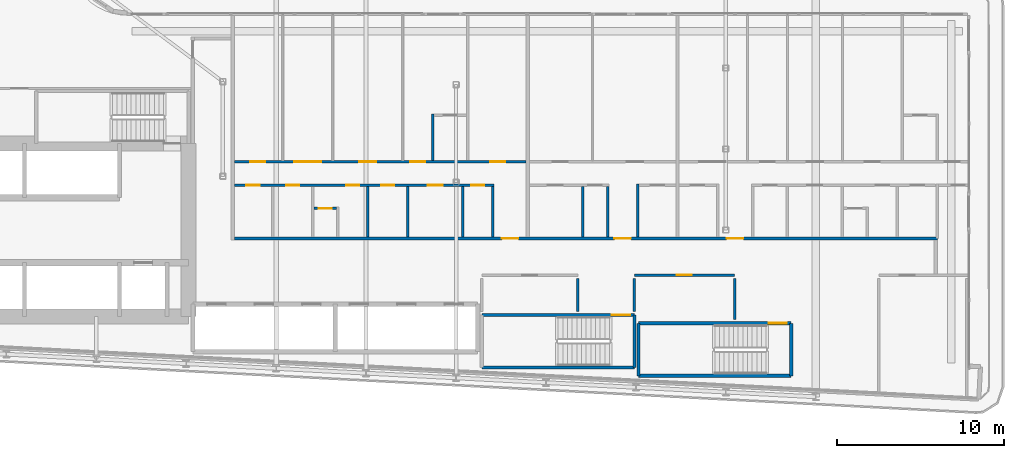
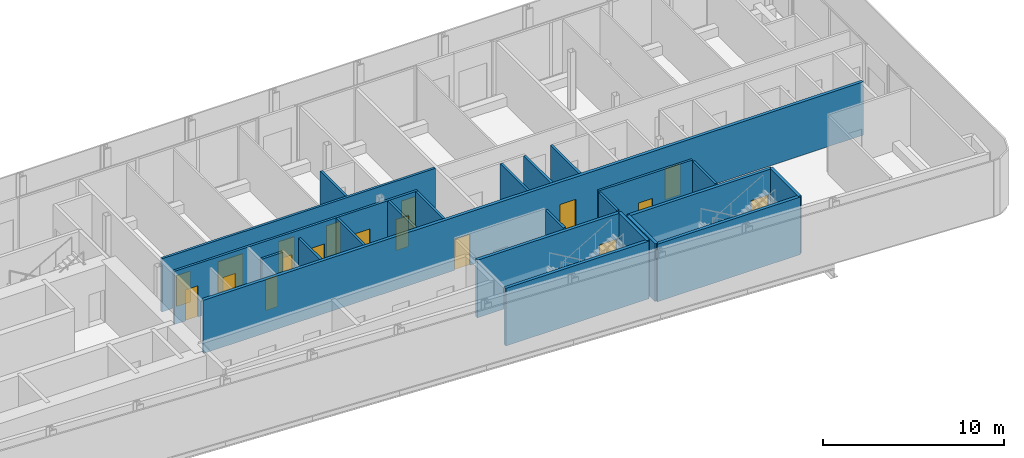
# One storey, part 15 of 28: 23 walls, 18 doors, 18 openings.
"""IFC4 building model written with IfcOpenShell, lengths in metres."""

from ifc_helpers import new_model, si_unit, direction, frame, frame_2d, origin, place, context, subcontext, project, spatial, rectangle, extrude, source, transform, mapped, material, layer, layer_set, type_object, element, fill, save


model = new_model("IFC4")

# Units and contexts
model_context = context("Model", 3, precision=1e-05, world=origin(), true_north=direction((0.0, 1.0)))
body_context = subcontext(model_context, "Body", "Model", "MODEL_VIEW")
ifc_project = project(units=[si_unit("LENGTHUNIT", "METRE"), si_unit("AREAUNIT", "SQUARE_METRE"), si_unit("VOLUMEUNIT", "CUBIC_METRE"), si_unit("PLANEANGLEUNIT", "RADIAN"), si_unit("MASSUNIT", "GRAM", prefix="KILO")], contexts=[model_context])

# Site, building, storey
site_placement = place(None, origin())
site = spatial("IfcSite", under=ifc_project, at=site_placement, CompositionType="ELEMENT")
building_placement = place(site_placement, origin())
building = spatial("IfcBuilding", under=site, at=building_placement, Name="Kheshtan School and Residences Tower", CompositionType="ELEMENT")
storey_placement = place(building_placement, frame((0.0, 0.0, 140.89990234375)))
storey = spatial("IfcBuildingStorey", under=building, at=storey_placement, Name="L33", CompositionType="ELEMENT", Elevation=140.89990234375)

# Wall, openings, doors
ifc_material_1 = material(Name="Gypsum board on steel studs with fire boards", Category="steel")
ifc_layer_1 = layer(ifc_material_1, 0.199951171875)
ifc_layer_set_1 = layer_set([ifc_layer_1], Name="Corridor wall 200")
wall_type_1 = type_object("IfcWallType", Name="Corridor wall 200", PredefinedType="PARTITIONING", material=ifc_layer_set_1)
wall_1_placement = place(storey_placement, frame((55.89990234375, 30.5, 0.0), z_axis=(0.0, 0.0, 1.0), x_axis=(1.0, 0.0, 0.0)))
wall_1 = element("IfcWall", 1, at=wall_1_placement, inside=storey, type_object=wall_type_1, Name="Partition L33-046", PredefinedType="PARTITIONING", context=body_context, shape_type="SweptSolid", body=[
    extrude(rectangle(XDim=42.2001953125, YDim=0.199951171875, at=frame_2d((21.10009765625, 0.0))), origin(), (0.0, 0.0, 1.0), 3.60009765625),
])
opening_1_placement = place(wall_1_placement, frame((16.050048828125, 0.0, 0.0)))
opening_1 = element("IfcOpeningElement", 2, at=opening_1_placement, cuts=wall_1, Name="Opening D32-007", PredefinedType="OPENING", context=body_context, shape_type="SweptSolid", body=[
    extrude(rectangle(XDim=1.0, YDim=2.10009765625, at=frame_2d((0.5, 1.050048828125))), frame((0.0, 0.10986328125, 0.0), z_axis=(0.0, -1.0, 0.0), x_axis=(1.0, 0.0, 0.0)), (0.0, 0.0, 1.0), 0.219970703125),
])
opening_2_placement = place(wall_1_placement, frame((22.800048828125, 0.0, 0.0)))
opening_2 = element("IfcOpeningElement", 3, at=opening_2_placement, cuts=wall_1, Name="Opening D32-017", PredefinedType="OPENING", context=body_context, shape_type="SweptSolid", body=[
    extrude(rectangle(XDim=1.0, YDim=2.10009765625, at=frame_2d((0.5, 1.050048828125))), frame((0.0, 0.10986328125, 0.0), z_axis=(0.0, -1.0, 0.0), x_axis=(1.0, 0.0, 0.0)), (0.0, 0.0, 1.0), 0.219970703125),
])
opening_3_placement = place(wall_1_placement, frame((29.550048828125, 0.0, 0.0)))
opening_3 = element("IfcOpeningElement", 4, at=opening_3_placement, cuts=wall_1, Name="Opening D32-026", PredefinedType="OPENING", context=body_context, shape_type="SweptSolid", body=[
    extrude(rectangle(XDim=1.0, YDim=2.10009765625, at=frame_2d((0.5, 1.050048828125))), frame((0.0, 0.10986328125, 0.0), z_axis=(0.0, -1.0, 0.0), x_axis=(1.0, 0.0, 0.0)), (0.0, 0.0, 1.0), 0.219970703125),
])
ifc_material_2 = material(Name="Steel-framed fire-resisting door leaf", Category="steel")
door_type_1 = type_object("IfcDoorType", Name="Fire door FD30S 1000 x 2100", OperationType="SINGLE_SWING_LEFT", PredefinedType="DOOR", material=ifc_material_2)
shared_shape_1 = source(origin(), body_context, "Body", "SweptSolid", [
    extrude(rectangle(XDim=1.0, YDim=2.10009765625, at=frame_2d((0.5, 1.050048828125))), frame((0.0, 0.02490234375, 0.0), z_axis=(0.0, -1.0, 0.0), x_axis=(1.0, 0.0, 0.0)), (0.0, 0.0, 1.0), 0.050048828125),
])
door_1_placement = place(opening_1_placement, origin())
door_1 = element("IfcDoor", 5, at=door_1_placement, inside=storey, type_object=door_type_1, Name="Door D32-007", OperationType="SINGLE_SWING_RIGHT", OverallHeight=2.10009765625, OverallWidth=1.0, PredefinedType="DOOR", context=body_context, shape_type="MappedRepresentation", body=[
    mapped(shared_shape_1, transform((0.0, 0.0, 0.0), x_axis=(1.0, 0.0, 0.0), y_axis=(0.0, 1.0, 0.0), z_axis=(0.0, 0.0, 1.0), scale=1.0)),
])
fill(opening_1, door_1)
door_2_placement = place(opening_2_placement, origin())
door_2 = element("IfcDoor", 6, at=door_2_placement, inside=storey, type_object=door_type_1, Name="Door D32-017", OperationType="SINGLE_SWING_RIGHT", OverallHeight=2.10009765625, OverallWidth=1.0, PredefinedType="DOOR", context=body_context, shape_type="MappedRepresentation", body=[
    mapped(shared_shape_1, transform((0.0, 0.0, 0.0), x_axis=(1.0, 0.0, 0.0), y_axis=(0.0, 1.0, 0.0), z_axis=(0.0, 0.0, 1.0), scale=1.0)),
])
fill(opening_2, door_2)
door_3_placement = place(opening_3_placement, origin())
door_3 = element("IfcDoor", 7, at=door_3_placement, inside=storey, type_object=door_type_1, Name="Door D32-026", OperationType="SINGLE_SWING_LEFT", OverallHeight=2.10009765625, OverallWidth=1.0, PredefinedType="DOOR", context=body_context, shape_type="MappedRepresentation", body=[
    mapped(shared_shape_1, transform((0.0, 0.0, 0.0), x_axis=(1.0, 0.0, 0.0), y_axis=(0.0, 1.0, 0.0), z_axis=(0.0, 0.0, 1.0), scale=1.0)),
])
fill(opening_3, door_3)

# Wall
ifc_material_3 = material(Name="Fire-board shaft wall system")
ifc_layer_2 = layer(ifc_material_3, 0.14990234375)
ifc_layer_set_2 = layer_set([ifc_layer_2], Name="Service room wall 150")
wall_type_2 = type_object("IfcWallType", Name="Service room wall 150", PredefinedType="PARTITIONING", material=ifc_layer_set_2)
wall_2_placement = place(storey_placement, frame((76.510009765625, 26.1201171875, 0.0), z_axis=(0.0, 0.0, 1.0), x_axis=(0.0, 1.0, 0.0)))
element("IfcWall", 8, at=wall_2_placement, inside=storey, type_object=wall_type_2, Name="Service room wall", PredefinedType="PARTITIONING", context=body_context, shape_type="SweptSolid", body=[
    extrude(rectangle(XDim=1.98486328125, YDim=0.14990234375, at=frame_2d((0.992431640625, 0.0))), origin(), (0.0, 0.0, 1.0), 3.900146484375),
])

# Wall, opening, door
wall_3_placement = place(storey_placement, frame((79.909912109375, 28.300048828125, 0.0), z_axis=(0.0, 0.0, 1.0), x_axis=(1.0, 0.0, 0.0)))
wall_3 = element("IfcWall", 9, at=wall_3_placement, inside=storey, type_object=wall_type_2, Name="Service room wall", PredefinedType="PARTITIONING", context=body_context, shape_type="SweptSolid", body=[
    extrude(rectangle(XDim=6.010009765625, YDim=0.14990234375, at=frame_2d((3.0048828125, 0.0))), origin(), (0.0, 0.0, 1.0), 3.900146484375),
])
opening_4_placement = place(wall_3_placement, frame((2.554931640625, 0.0, 0.0)))
opening_4 = element("IfcOpeningElement", 10, at=opening_4_placement, cuts=wall_3, Name="Opening SR90", PredefinedType="OPENING", context=body_context, shape_type="SweptSolid", body=[
    extrude(rectangle(XDim=0.89990234375, YDim=2.199951171875, at=frame_2d((0.449951171875, 1.10009765625))), frame((0.0, 0.0849609375, 0.0), z_axis=(0.0, -1.0, 0.0), x_axis=(1.0, 0.0, 0.0)), (0.0, 0.0, 1.0), 0.169921875),
])
ifc_material_4 = material(Name="Steel door leaf, galvanised", Category="steel")
door_type_2 = type_object("IfcDoorType", Name="Service room door 900 steel 90 min", OperationType="SINGLE_SWING_LEFT", PredefinedType="DOOR", material=ifc_material_4)
shared_shape_2 = source(origin(), body_context, "Body", "SweptSolid", [
    extrude(rectangle(XDim=0.89990234375, YDim=2.199951171875, at=frame_2d((0.449951171875, 1.10009765625))), frame((0.0, 0.02490234375, 0.0), z_axis=(0.0, -1.0, 0.0), x_axis=(1.0, 0.0, 0.0)), (0.0, 0.0, 1.0), 0.050048828125),
])
door_4_placement = place(opening_4_placement, origin())
door_4 = element("IfcDoor", 11, at=door_4_placement, inside=storey, type_object=door_type_2, Name="Service room door", OperationType="SINGLE_SWING_LEFT", OverallHeight=2.199951171875, OverallWidth=0.89990234375, PredefinedType="DOOR", context=body_context, shape_type="MappedRepresentation", body=[
    mapped(shared_shape_2, transform((0.0, 0.0, 0.0), x_axis=(1.0, 0.0, 0.0), y_axis=(0.0, 1.0, 0.0), z_axis=(0.0, 0.0, 1.0), scale=1.0)),
])
fill(opening_4, door_4)

# Walls
wall_4_placement = place(storey_placement, frame((79.909912109375, 26.1201171875, 0.0), z_axis=(0.0, 0.0, 1.0), x_axis=(0.0, 1.0, 0.0)))
element("IfcWall", 12, at=wall_4_placement, inside=storey, type_object=wall_type_2, Name="Service room wall", PredefinedType="PARTITIONING", context=body_context, shape_type="SweptSolid", body=[
    extrude(rectangle(XDim=1.98486328125, YDim=0.14990234375, at=frame_2d((0.992431640625, 0.0))), origin(), (0.0, 0.0, 1.0), 3.900146484375),
])
wall_5_placement = place(storey_placement, frame((85.919921875, 25.6201171875, 0.0), z_axis=(0.0, 0.0, 1.0), x_axis=(0.0, 1.0, 0.0)))
element("IfcWall", 13, at=wall_5_placement, inside=storey, type_object=wall_type_2, Name="Service room wall", PredefinedType="PARTITIONING", context=body_context, shape_type="SweptSolid", body=[
    extrude(rectangle(XDim=2.48486328125, YDim=0.14990234375, at=frame_2d((1.242431640625, 0.0))), origin(), (0.0, 0.0, 1.0), 3.900146484375),
])
ifc_material_5 = material(Name="Concrete C40/50", Category="concrete")
ifc_layer_3 = layer(ifc_material_5, 0.199951171875)
ifc_layer_set_3 = layer_set([ifc_layer_3], Name="Stair enclosure wall 200 Concrete C40/50")
wall_type_3 = type_object("IfcWallType", Name="Stair enclosure wall 200 Concrete C40/50", PredefinedType="SHEAR", material=ifc_layer_set_3)
wall_6_placement = place(storey_placement, frame((80.159912109375, 22.25, 0.0), z_axis=(0.0, 0.0, 1.0), x_axis=(1.0, 0.0, 0.0)))
element("IfcWall", 14, at=wall_6_placement, inside=storey, type_object=wall_type_3, Name="Stair enclosure wall ST4", PredefinedType="SHEAR", context=body_context, shape_type="SweptSolid", body=[
    extrude(rectangle(XDim=9.16015625, YDim=0.199951171875, at=frame_2d((4.580078125, 0.0))), origin(), (0.0, 0.0, 1.0), 3.900146484375),
])

# Wall, opening, door
wall_7_placement = place(storey_placement, frame((80.159912109375, 25.39990234375, 0.0), z_axis=(0.0, 0.0, 1.0), x_axis=(1.0, 0.0, 0.0)))
wall_7 = element("IfcWall", 15, at=wall_7_placement, inside=storey, type_object=wall_type_3, Name="Stair enclosure wall ST4", PredefinedType="SHEAR", context=body_context, shape_type="SweptSolid", body=[
    extrude(rectangle(XDim=9.16015625, YDim=0.199951171875, at=frame_2d((4.580078125, 0.0))), origin(), (0.0, 0.0, 1.0), 3.900146484375),
])
opening_5_placement = place(wall_7_placement, frame((7.81005859375, 0.0, 0.0)))
opening_5 = element("IfcOpeningElement", 16, at=opening_5_placement, cuts=wall_7, Name="Opening ST4D", PredefinedType="OPENING", context=body_context, shape_type="SweptSolid", body=[
    extrude(rectangle(XDim=1.10009765625, YDim=2.199951171875, at=frame_2d((0.550048828125, 1.10009765625))), frame((0.0, 0.10986328125, 0.0), z_axis=(0.0, -1.0, 0.0), x_axis=(1.0, 0.0, 0.0)), (0.0, 0.0, 1.0), 0.219970703125),
])
door_type_3 = type_object("IfcDoorType", Name="Stair door 1100 steel 90 min", OperationType="SINGLE_SWING_LEFT", PredefinedType="DOOR", material=ifc_material_4)
shared_shape_3 = source(origin(), body_context, "Body", "SweptSolid", [
    extrude(rectangle(XDim=1.10009765625, YDim=2.199951171875, at=frame_2d((0.550048828125, 1.10009765625))), frame((0.0, 0.02490234375, 0.0), z_axis=(0.0, -1.0, 0.0), x_axis=(1.0, 0.0, 0.0)), (0.0, 0.0, 1.0), 0.050048828125),
])
door_5_placement = place(opening_5_placement, origin())
door_5 = element("IfcDoor", 17, at=door_5_placement, inside=storey, type_object=door_type_3, Name="Stair ST4 door", OperationType="SINGLE_SWING_LEFT", OverallHeight=2.199951171875, OverallWidth=1.10009765625, PredefinedType="DOOR", context=body_context, shape_type="MappedRepresentation", body=[
    mapped(shared_shape_3, transform((0.0, 0.0, 0.0), x_axis=(1.0, 0.0, 0.0), y_axis=(0.0, 1.0, 0.0), z_axis=(0.0, 0.0, 1.0), scale=1.0)),
])
fill(opening_5, door_5)

# Walls
for number, where, z_axis, x_axis, name in (
    (18, (80.159912109375, 22.25, 0.0), (0.0, 0.0, 1.0), (0.0, 1.0, 0.0), "Stair enclosure wall ST4"),
    (19, (89.320068359375, 22.25, 0.0), (0.0, 0.0, 1.0), (0.0, 1.0, 0.0), "Stair enclosure wall ST4"),
):
    element("IfcWall", number, at=place(storey_placement, frame(where, z_axis=z_axis, x_axis=x_axis)), inside=storey, type_object=wall_type_3, Name=name, PredefinedType="SHEAR", context=body_context, shape_type="SweptSolid", body=[
        extrude(rectangle(XDim=3.14990234375, YDim=0.199951171875, at=frame_2d((1.574951171875, 0.0))), origin(), (0.0, 0.0, 1.0), 3.900146484375),
    ])
wall_8_placement = place(storey_placement, frame((70.75, 22.75, 0.0), z_axis=(0.0, 0.0, 1.0), x_axis=(1.0, 0.0, 0.0)))
element("IfcWall", 20, at=wall_8_placement, inside=storey, type_object=wall_type_3, Name="Stair enclosure wall ST5", PredefinedType="SHEAR", context=body_context, shape_type="SweptSolid", body=[
    extrude(rectangle(XDim=9.159912109375, YDim=0.199951171875, at=frame_2d((4.580078125, 0.0))), origin(), (0.0, 0.0, 1.0), 3.900146484375),
])

# Wall, opening, door
wall_9_placement = place(storey_placement, frame((70.75, 25.89990234375, 0.0), z_axis=(0.0, 0.0, 1.0), x_axis=(1.0, 0.0, 0.0)))
wall_9 = element("IfcWall", 21, at=wall_9_placement, inside=storey, type_object=wall_type_3, Name="Stair enclosure wall ST5", PredefinedType="SHEAR", context=body_context, shape_type="SweptSolid", body=[
    extrude(rectangle(XDim=9.159912109375, YDim=0.199951171875, at=frame_2d((4.580078125, 0.0))), origin(), (0.0, 0.0, 1.0), 3.900146484375),
])
opening_6_placement = place(wall_9_placement, frame((7.81005859375, 0.0, 0.0)))
opening_6 = element("IfcOpeningElement", 22, at=opening_6_placement, cuts=wall_9, Name="Opening ST5D", PredefinedType="OPENING", context=body_context, shape_type="SweptSolid", body=[
    extrude(rectangle(XDim=1.10009765625, YDim=2.199951171875, at=frame_2d((0.550048828125, 1.10009765625))), frame((0.0, 0.10986328125, 0.0), z_axis=(0.0, -1.0, 0.0), x_axis=(1.0, 0.0, 0.0)), (0.0, 0.0, 1.0), 0.219970703125),
])
door_6_placement = place(opening_6_placement, origin())
door_6 = element("IfcDoor", 23, at=door_6_placement, inside=storey, type_object=door_type_3, Name="Stair ST5 door", OperationType="SINGLE_SWING_LEFT", OverallHeight=2.199951171875, OverallWidth=1.10009765625, PredefinedType="DOOR", context=body_context, shape_type="MappedRepresentation", body=[
    mapped(shared_shape_3, transform((0.0, 0.0, 0.0), x_axis=(1.0, 0.0, 0.0), y_axis=(0.0, 1.0, 0.0), z_axis=(0.0, 0.0, 1.0), scale=1.0)),
])
fill(opening_6, door_6)

# Wall
wall_10_placement = place(storey_placement, frame((79.909912109375, 22.75, 0.0), z_axis=(0.0, 0.0, 1.0), x_axis=(0.0, 1.0, 0.0)))
element("IfcWall", 24, at=wall_10_placement, inside=storey, type_object=wall_type_3, Name="Stair enclosure wall ST5", PredefinedType="SHEAR", context=body_context, shape_type="SweptSolid", body=[
    extrude(rectangle(XDim=3.14990234375, YDim=0.199951171875, at=frame_2d((1.574951171875, 0.0))), origin(), (0.0, 0.0, 1.0), 3.900146484375),
])

# Wall, openings, doors
ifc_material_6 = material(Name="Moisture-resistant gypsum board on steel studs", Category="steel")
ifc_layer_4 = layer(ifc_material_6, 0.14990234375)
ifc_layer_set_4 = layer_set([ifc_layer_4], Name="Wet-room partition 150")
wall_type_4 = type_object("IfcWallType", Name="Wet-room partition 150", PredefinedType="PARTITIONING", material=ifc_layer_set_4)
wall_11_placement = place(storey_placement, frame((55.89990234375, 33.699951171875, 0.0), z_axis=(0.0, 0.0, 1.0), x_axis=(1.0, 0.0, 0.0)))
wall_11 = element("IfcWall", 25, at=wall_11_placement, inside=storey, type_object=wall_type_4, Name="Partition L33-047", PredefinedType="PARTITIONING", context=body_context, shape_type="SweptSolid", body=[
    extrude(rectangle(XDim=15.5751953125, YDim=0.14990234375, at=frame_2d((7.78759765625, 0.0))), origin(), (0.0, 0.0, 1.0), 3.60009765625),
])
opening_7_placement = place(wall_11_placement, frame((3.10009765625, 0.0, 0.0)))
opening_7 = element("IfcOpeningElement", 26, at=opening_7_placement, cuts=wall_11, Name="Opening D32-001", PredefinedType="OPENING", context=body_context, shape_type="SweptSolid", body=[
    extrude(rectangle(XDim=0.800048828125, YDim=2.10009765625, at=frame_2d((0.39990234375, 1.050048828125))), frame((0.0, 0.0849609375, 0.0), z_axis=(0.0, -1.0, 0.0), x_axis=(1.0, 0.0, 0.0)), (0.0, 0.0, 1.0), 0.169921875),
])
opening_8_placement = place(wall_11_placement, frame((8.800048828125, 0.0, 0.0)))
opening_8 = element("IfcOpeningElement", 27, at=opening_8_placement, cuts=wall_11, Name="Opening D32-002", PredefinedType="OPENING", context=body_context, shape_type="SweptSolid", body=[
    extrude(rectangle(XDim=0.800048828125, YDim=2.10009765625, at=frame_2d((0.39990234375, 1.050048828125))), frame((0.0, 0.0849609375, 0.0), z_axis=(0.0, -1.0, 0.0), x_axis=(1.0, 0.0, 0.0)), (0.0, 0.0, 1.0), 0.169921875),
])
opening_9_placement = place(wall_11_placement, frame((0.699951171875, 0.0, 0.0)))
opening_9 = element("IfcOpeningElement", 28, at=opening_9_placement, cuts=wall_11, Name="Opening D32-005", PredefinedType="OPENING", context=body_context, shape_type="SweptSolid", body=[
    extrude(rectangle(XDim=0.800048828125, YDim=2.10009765625, at=frame_2d((0.39990234375, 1.050048828125))), frame((0.0, 0.0849609375, 0.0), z_axis=(0.0, -1.0, 0.0), x_axis=(1.0, 0.0, 0.0)), (0.0, 0.0, 1.0), 0.169921875),
])
opening_10_placement = place(wall_11_placement, frame((11.60009765625, 0.0, 0.0)))
opening_10 = element("IfcOpeningElement", 29, at=opening_10_placement, cuts=wall_11, Name="Opening D32-008", PredefinedType="OPENING", context=body_context, shape_type="SweptSolid", body=[
    extrude(rectangle(XDim=0.89990234375, YDim=2.10009765625, at=frame_2d((0.449951171875, 1.050048828125))), frame((0.0, 0.0849609375, 0.0), z_axis=(0.0, -1.0, 0.0), x_axis=(1.0, 0.0, 0.0)), (0.0, 0.0, 1.0), 0.169921875),
])
opening_11_placement = place(wall_11_placement, frame((6.699951171875, 0.0, 0.0)))
opening_11 = element("IfcOpeningElement", 30, at=opening_11_placement, cuts=wall_11, Name="Opening D32-010", PredefinedType="OPENING", context=body_context, shape_type="SweptSolid", body=[
    extrude(rectangle(XDim=0.800048828125, YDim=2.10009765625, at=frame_2d((0.39990234375, 1.050048828125))), frame((0.0, 0.0849609375, 0.0), z_axis=(0.0, -1.0, 0.0), x_axis=(1.0, 0.0, 0.0)), (0.0, 0.0, 1.0), 0.169921875),
])
opening_12_placement = place(wall_11_placement, frame((14.199951171875, 0.0, 0.0)))
opening_12 = element("IfcOpeningElement", 31, at=opening_12_placement, cuts=wall_11, Name="Opening D32-014", PredefinedType="OPENING", context=body_context, shape_type="SweptSolid", body=[
    extrude(rectangle(XDim=0.800048828125, YDim=2.10009765625, at=frame_2d((0.39990234375, 1.050048828125))), frame((0.0, 0.0849609375, 0.0), z_axis=(0.0, -1.0, 0.0), x_axis=(1.0, 0.0, 0.0)), (0.0, 0.0, 1.0), 0.169921875),
])
ifc_material_7 = material(Name="Veneered timber door leaf", Category="wood")
door_type_4 = type_object("IfcDoorType", Name="Door 800 x 2100", OperationType="SINGLE_SWING_LEFT", PredefinedType="DOOR", material=ifc_material_7)
shared_shape_4 = source(origin(), body_context, "Body", "SweptSolid", [
    extrude(rectangle(XDim=0.800048828125, YDim=2.10009765625, at=frame_2d((0.39990234375, 1.050048828125))), frame((0.0, 0.02490234375, 0.0), z_axis=(0.0, -1.0, 0.0), x_axis=(1.0, 0.0, 0.0)), (0.0, 0.0, 1.0), 0.050048828125),
])
door_7_placement = place(opening_7_placement, origin())
door_7 = element("IfcDoor", 32, at=door_7_placement, inside=storey, type_object=door_type_4, Name="Door D32-001", OperationType="SINGLE_SWING_RIGHT", OverallHeight=2.10009765625, OverallWidth=0.800048828125, PredefinedType="DOOR", context=body_context, shape_type="MappedRepresentation", body=[
    mapped(shared_shape_4, transform((0.0, 0.0, 0.0), x_axis=(1.0, 0.0, 0.0), y_axis=(0.0, 1.0, 0.0), z_axis=(0.0, 0.0, 1.0), scale=1.0)),
])
fill(opening_7, door_7)
door_8_placement = place(opening_8_placement, origin())
door_8 = element("IfcDoor", 33, at=door_8_placement, inside=storey, type_object=door_type_4, Name="Door D32-002", OperationType="SINGLE_SWING_LEFT", OverallHeight=2.10009765625, OverallWidth=0.800048828125, PredefinedType="DOOR", context=body_context, shape_type="MappedRepresentation", body=[
    mapped(shared_shape_4, transform((0.0, 0.0, 0.0), x_axis=(1.0, 0.0, 0.0), y_axis=(0.0, 1.0, 0.0), z_axis=(0.0, 0.0, 1.0), scale=1.0)),
])
fill(opening_8, door_8)
door_9_placement = place(opening_9_placement, origin())
door_9 = element("IfcDoor", 34, at=door_9_placement, inside=storey, type_object=door_type_4, Name="Door D32-005", OperationType="SINGLE_SWING_RIGHT", OverallHeight=2.10009765625, OverallWidth=0.800048828125, PredefinedType="DOOR", context=body_context, shape_type="MappedRepresentation", body=[
    mapped(shared_shape_4, transform((0.0, 0.0, 0.0), x_axis=(1.0, 0.0, 0.0), y_axis=(0.0, 1.0, 0.0), z_axis=(0.0, 0.0, 1.0), scale=1.0)),
])
fill(opening_9, door_9)
door_10_placement = place(opening_11_placement, origin())
door_10 = element("IfcDoor", 35, at=door_10_placement, inside=storey, type_object=door_type_4, Name="Door D32-010", OperationType="SINGLE_SWING_LEFT", OverallHeight=2.10009765625, OverallWidth=0.800048828125, PredefinedType="DOOR", context=body_context, shape_type="MappedRepresentation", body=[
    mapped(shared_shape_4, transform((0.0, 0.0, 0.0), x_axis=(1.0, 0.0, 0.0), y_axis=(0.0, 1.0, 0.0), z_axis=(0.0, 0.0, 1.0), scale=1.0)),
])
fill(opening_11, door_10)
door_11_placement = place(opening_12_placement, origin())
door_11 = element("IfcDoor", 36, at=door_11_placement, inside=storey, type_object=door_type_4, Name="Door D32-014", OperationType="SINGLE_SWING_LEFT", OverallHeight=2.10009765625, OverallWidth=0.800048828125, PredefinedType="DOOR", context=body_context, shape_type="MappedRepresentation", body=[
    mapped(shared_shape_4, transform((0.0, 0.0, 0.0), x_axis=(1.0, 0.0, 0.0), y_axis=(0.0, 1.0, 0.0), z_axis=(0.0, 0.0, 1.0), scale=1.0)),
])
fill(opening_12, door_11)
door_type_5 = type_object("IfcDoorType", Name="Door 900 x 2100", OperationType="SINGLE_SWING_LEFT", PredefinedType="DOOR", material=ifc_material_7)
shared_shape_5 = source(origin(), body_context, "Body", "SweptSolid", [
    extrude(rectangle(XDim=0.89990234375, YDim=2.10009765625, at=frame_2d((0.449951171875, 1.050048828125))), frame((0.0, 0.02490234375, 0.0), z_axis=(0.0, -1.0, 0.0), x_axis=(1.0, 0.0, 0.0)), (0.0, 0.0, 1.0), 0.050048828125),
])
door_12_placement = place(opening_10_placement, origin())
door_12 = element("IfcDoor", 37, at=door_12_placement, inside=storey, type_object=door_type_5, Name="Door D32-008", OperationType="SINGLE_SWING_LEFT", OverallHeight=2.10009765625, OverallWidth=0.89990234375, PredefinedType="DOOR", context=body_context, shape_type="MappedRepresentation", body=[
    mapped(shared_shape_5, transform((0.0, 0.0, 0.0), x_axis=(1.0, 0.0, 0.0), y_axis=(0.0, 1.0, 0.0), z_axis=(0.0, 0.0, 1.0), scale=1.0)),
])
fill(opening_10, door_12)

wall_12_placement = place(storey_placement, frame((55.89990234375, 35.10009765625, 0.0), z_axis=(0.0, 0.0, 1.0), x_axis=(1.0, 0.0, 0.0)))
wall_12 = element("IfcWall", 38, at=wall_12_placement, inside=storey, type_object=wall_type_4, Name="Partition L33-048", PredefinedType="PARTITIONING", context=body_context, shape_type="SweptSolid", body=[
    extrude(rectangle(XDim=17.5, YDim=0.14990234375, at=frame_2d((8.75, 0.0))), origin(), (0.0, 0.0, 1.0), 3.60009765625),
])
opening_13_placement = place(wall_12_placement, frame((0.949951171875, 0.0, 0.0)))
opening_13 = element("IfcOpeningElement", 39, at=opening_13_placement, cuts=wall_12, Name="Opening D32-003", PredefinedType="OPENING", context=body_context, shape_type="SweptSolid", body=[
    extrude(rectangle(XDim=0.89990234375, YDim=2.10009765625, at=frame_2d((0.449951171875, 1.050048828125))), frame((0.0, 0.0849609375, 0.0), z_axis=(0.0, -1.0, 0.0), x_axis=(1.0, 0.0, 0.0)), (0.0, 0.0, 1.0), 0.169921875),
])
opening_14_placement = place(wall_12_placement, frame((15.35009765625, 0.0, 0.0)))
opening_14 = element("IfcOpeningElement", 40, at=opening_14_placement, cuts=wall_12, Name="Opening D32-004", PredefinedType="OPENING", context=body_context, shape_type="SweptSolid", body=[
    extrude(rectangle(XDim=0.89990234375, YDim=2.10009765625, at=frame_2d((0.449951171875, 1.050048828125))), frame((0.0, 0.0849609375, 0.0), z_axis=(0.0, -1.0, 0.0), x_axis=(1.0, 0.0, 0.0)), (0.0, 0.0, 1.0), 0.169921875),
])
opening_15_placement = place(wall_12_placement, frame((7.5, 0.0, 0.0)))
opening_15 = element("IfcOpeningElement", 41, at=opening_15_placement, cuts=wall_12, Name="Opening D32-009", PredefinedType="OPENING", context=body_context, shape_type="SweptSolid", body=[
    extrude(rectangle(XDim=1.0, YDim=2.10009765625, at=frame_2d((0.5, 1.050048828125))), frame((0.0, 0.0849609375, 0.0), z_axis=(0.0, -1.0, 0.0), x_axis=(1.0, 0.0, 0.0)), (0.0, 0.0, 1.0), 0.169921875),
])
opening_16_placement = place(wall_12_placement, frame((3.60009765625, 0.0, 0.0)))
opening_16 = element("IfcOpeningElement", 42, at=opening_16_placement, cuts=wall_12, Name="Opening D32-012", PredefinedType="OPENING", context=body_context, shape_type="SweptSolid", body=[
    extrude(rectangle(XDim=1.60009765625, YDim=2.10009765625, at=frame_2d((0.800048828125, 1.050048828125))), frame((0.0, 0.0849609375, 0.0), z_axis=(0.0, -1.0, 0.0), x_axis=(1.0, 0.0, 0.0)), (0.0, 0.0, 1.0), 0.169921875),
])
opening_17_placement = place(wall_12_placement, frame((10.550048828125, 0.0, 0.0)))
opening_17 = element("IfcOpeningElement", 43, at=opening_17_placement, cuts=wall_12, Name="Opening D32-013", PredefinedType="OPENING", context=body_context, shape_type="SweptSolid", body=[
    extrude(rectangle(XDim=0.89990234375, YDim=2.10009765625, at=frame_2d((0.449951171875, 1.050048828125))), frame((0.0, 0.0849609375, 0.0), z_axis=(0.0, -1.0, 0.0), x_axis=(1.0, 0.0, 0.0)), (0.0, 0.0, 1.0), 0.169921875),
])
door_type_6 = type_object("IfcDoorType", Name="Door 1000 x 2100", OperationType="SINGLE_SWING_LEFT", PredefinedType="DOOR", material=ifc_material_7)
shared_shape_6 = source(origin(), body_context, "Body", "SweptSolid", [
    extrude(rectangle(XDim=1.0, YDim=2.10009765625, at=frame_2d((0.5, 1.050048828125))), frame((0.0, 0.02490234375, 0.0), z_axis=(0.0, -1.0, 0.0), x_axis=(1.0, 0.0, 0.0)), (0.0, 0.0, 1.0), 0.050048828125),
])
door_13_placement = place(opening_15_placement, origin())
door_13 = element("IfcDoor", 44, at=door_13_placement, inside=storey, type_object=door_type_6, Name="Door D32-009", OperationType="SINGLE_SWING_RIGHT", OverallHeight=2.10009765625, OverallWidth=1.0, PredefinedType="DOOR", context=body_context, shape_type="MappedRepresentation", body=[
    mapped(shared_shape_6, transform((0.0, 0.0, 0.0), x_axis=(1.0, 0.0, 0.0), y_axis=(0.0, 1.0, 0.0), z_axis=(0.0, 0.0, 1.0), scale=1.0)),
])
fill(opening_15, door_13)
door_14_placement = place(opening_13_placement, origin())
door_14 = element("IfcDoor", 45, at=door_14_placement, inside=storey, type_object=door_type_5, Name="Door D32-003", OperationType="SINGLE_SWING_RIGHT", OverallHeight=2.10009765625, OverallWidth=0.89990234375, PredefinedType="DOOR", context=body_context, shape_type="MappedRepresentation", body=[
    mapped(shared_shape_5, transform((0.0, 0.0, 0.0), x_axis=(1.0, 0.0, 0.0), y_axis=(0.0, 1.0, 0.0), z_axis=(0.0, 0.0, 1.0), scale=1.0)),
])
fill(opening_13, door_14)
door_15_placement = place(opening_14_placement, origin())
door_15 = element("IfcDoor", 46, at=door_15_placement, inside=storey, type_object=door_type_5, Name="Door D32-004", OperationType="SINGLE_SWING_LEFT", OverallHeight=2.10009765625, OverallWidth=0.89990234375, PredefinedType="DOOR", context=body_context, shape_type="MappedRepresentation", body=[
    mapped(shared_shape_5, transform((0.0, 0.0, 0.0), x_axis=(1.0, 0.0, 0.0), y_axis=(0.0, 1.0, 0.0), z_axis=(0.0, 0.0, 1.0), scale=1.0)),
])
fill(opening_14, door_15)
door_16_placement = place(opening_17_placement, origin())
door_16 = element("IfcDoor", 47, at=door_16_placement, inside=storey, type_object=door_type_5, Name="Door D32-013", OperationType="SINGLE_SWING_RIGHT", OverallHeight=2.10009765625, OverallWidth=0.89990234375, PredefinedType="DOOR", context=body_context, shape_type="MappedRepresentation", body=[
    mapped(shared_shape_5, transform((0.0, 0.0, 0.0), x_axis=(1.0, 0.0, 0.0), y_axis=(0.0, 1.0, 0.0), z_axis=(0.0, 0.0, 1.0), scale=1.0)),
])
fill(opening_17, door_16)
door_type_7 = type_object("IfcDoorType", Name="Double door 1600 x 2100", OperationType="DOUBLE_DOOR_SINGLE_SWING", PredefinedType="DOOR", material=ifc_material_7)
shared_shape_7 = source(origin(), body_context, "Body", "SweptSolid", [
    extrude(rectangle(XDim=1.60009765625, YDim=2.10009765625, at=frame_2d((0.800048828125, 1.050048828125))), frame((0.0, 0.02490234375, 0.0), z_axis=(0.0, -1.0, 0.0), x_axis=(1.0, 0.0, 0.0)), (0.0, 0.0, 1.0), 0.050048828125),
])
door_17_placement = place(opening_16_placement, origin())
door_17 = element("IfcDoor", 48, at=door_17_placement, inside=storey, type_object=door_type_7, Name="Door D32-012", OperationType="DOUBLE_DOOR_SINGLE_SWING", OverallHeight=2.10009765625, OverallWidth=1.60009765625, PredefinedType="DOOR", context=body_context, shape_type="MappedRepresentation", body=[
    mapped(shared_shape_7, transform((0.0, 0.0, 0.0), x_axis=(1.0, 0.0, 0.0), y_axis=(0.0, 1.0, 0.0), z_axis=(0.0, 0.0, 1.0), scale=1.0)),
])
fill(opening_16, door_17)

# Wall, opening, door
wall_13_placement = place(storey_placement, frame((60.675048828125, 32.300048828125, 0.0), z_axis=(0.0, 0.0, 1.0), x_axis=(1.0, 0.0, 0.0)))
wall_13 = element("IfcWall", 49, at=wall_13_placement, inside=storey, type_object=wall_type_4, Name="Partition L33-052", PredefinedType="PARTITIONING", context=body_context, shape_type="SweptSolid", body=[
    extrude(rectangle(XDim=1.349853515625, YDim=0.14990234375, at=frame_2d((0.6748046875, 0.0))), origin(), (0.0, 0.0, 1.0), 3.60009765625),
])
opening_18_placement = place(wall_13_placement, frame((0.27490234375, 0.0, 0.0)))
opening_18 = element("IfcOpeningElement", 50, at=opening_18_placement, cuts=wall_13, Name="Opening D32-011", PredefinedType="OPENING", context=body_context, shape_type="SweptSolid", body=[
    extrude(rectangle(XDim=0.800048828125, YDim=2.10009765625, at=frame_2d((0.39990234375, 1.050048828125))), frame((0.0, 0.0849609375, 0.0), z_axis=(0.0, -1.0, 0.0), x_axis=(1.0, 0.0, 0.0)), (0.0, 0.0, 1.0), 0.169921875),
])
door_18_placement = place(opening_18_placement, origin())
door_18 = element("IfcDoor", 51, at=door_18_placement, inside=storey, type_object=door_type_4, Name="Door D32-011", OperationType="SINGLE_SWING_RIGHT", OverallHeight=2.10009765625, OverallWidth=0.800048828125, PredefinedType="DOOR", context=body_context, shape_type="MappedRepresentation", body=[
    mapped(shared_shape_4, transform((0.0, 0.0, 0.0), x_axis=(1.0, 0.0, 0.0), y_axis=(0.0, 1.0, 0.0), z_axis=(0.0, 0.0, 1.0), scale=1.0)),
])
fill(opening_18, door_18)

# Walls
wall_14_placement = place(storey_placement, frame((63.89990234375, 30.60009765625, 0.0), z_axis=(0.0, 0.0, 1.0), x_axis=(0.0, 1.0, 0.0)))
element("IfcWall", 52, at=wall_14_placement, inside=storey, type_object=wall_type_4, Name="Partition L33-055", PredefinedType="PARTITIONING", context=body_context, shape_type="SweptSolid", body=[
    extrude(rectangle(XDim=3.02490234375, YDim=0.14990234375, at=frame_2d((1.512451171875, 0.0))), origin(), (0.0, 0.0, 1.0), 3.072021484375),
])
wall_15_placement = place(storey_placement, frame((66.300048828125, 30.60009765625, 0.0), z_axis=(0.0, 0.0, 1.0), x_axis=(0.0, 1.0, 0.0)))
element("IfcWall", 53, at=wall_15_placement, inside=storey, type_object=wall_type_4, Name="Partition L33-057", PredefinedType="PARTITIONING", context=body_context, shape_type="SweptSolid", body=[
    extrude(rectangle(XDim=3.02490234375, YDim=0.14990234375, at=frame_2d((1.512451171875, 0.0))), origin(), (0.0, 0.0, 1.0), 3.60009765625),
])
wall_16_placement = place(storey_placement, frame((67.800048828125, 35.175048828125, 0.0), z_axis=(0.0, 0.0, 1.0), x_axis=(0.0, 1.0, 0.0)))
element("IfcWall", 54, at=wall_16_placement, inside=storey, type_object=wall_type_4, Name="Partition L33-058", PredefinedType="PARTITIONING", context=body_context, shape_type="SweptSolid", body=[
    extrude(rectangle(XDim=2.800048828125, YDim=0.14990234375, at=frame_2d((1.39990234375, 0.0))), origin(), (0.0, 0.0, 1.0), 3.60009765625),
])
for number, where, z_axis, x_axis, name in (
    (55, (69.60009765625, 30.60009765625, 0.0), (0.0, 0.0, 1.0), (0.0, 1.0, 0.0), "Partition L33-060"),
    (56, (71.39990234375, 30.60009765625, 0.0), (0.0, 0.0, 1.0), (0.0, 1.0, 0.0), "Partition L33-062"),
    (57, (76.800048828125, 30.60009765625, 0.0), (0.0, 0.0, 1.0), (0.0, 1.0, 0.0), "Partition L33-066"),
    (58, (78.300048828125, 30.60009765625, 0.0), (0.0, 0.0, 1.0), (0.0, 1.0, 0.0), "Partition L33-068"),
):
    element("IfcWall", number, at=place(storey_placement, frame(where, z_axis=z_axis, x_axis=x_axis)), inside=storey, type_object=wall_type_4, Name=name, PredefinedType="PARTITIONING", context=body_context, shape_type="SweptSolid", body=[
        extrude(rectangle(XDim=3.02490234375, YDim=0.14990234375, at=frame_2d((1.512451171875, 0.0))), origin(), (0.0, 0.0, 1.0), 3.60009765625),
    ])
wall_17_placement = place(storey_placement, frame((80.10009765625, 30.60009765625, 0.0), z_axis=(0.0, 0.0, 1.0), x_axis=(0.0, 1.0, 0.0)))
element("IfcWall", 59, at=wall_17_placement, inside=storey, type_object=wall_type_4, Name="Partition L33-069", PredefinedType="PARTITIONING", context=body_context, shape_type="SweptSolid", body=[
    extrude(rectangle(XDim=3.1748046875, YDim=0.14990234375, at=frame_2d((1.58740234375, 0.0))), origin(), (0.0, 0.0, 1.0), 3.60009765625),
])

save(model, "model.ifc")
